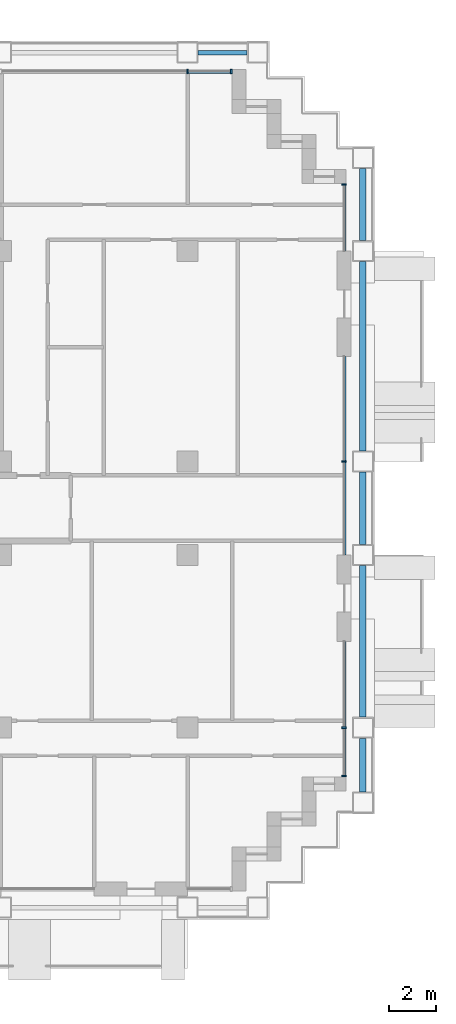
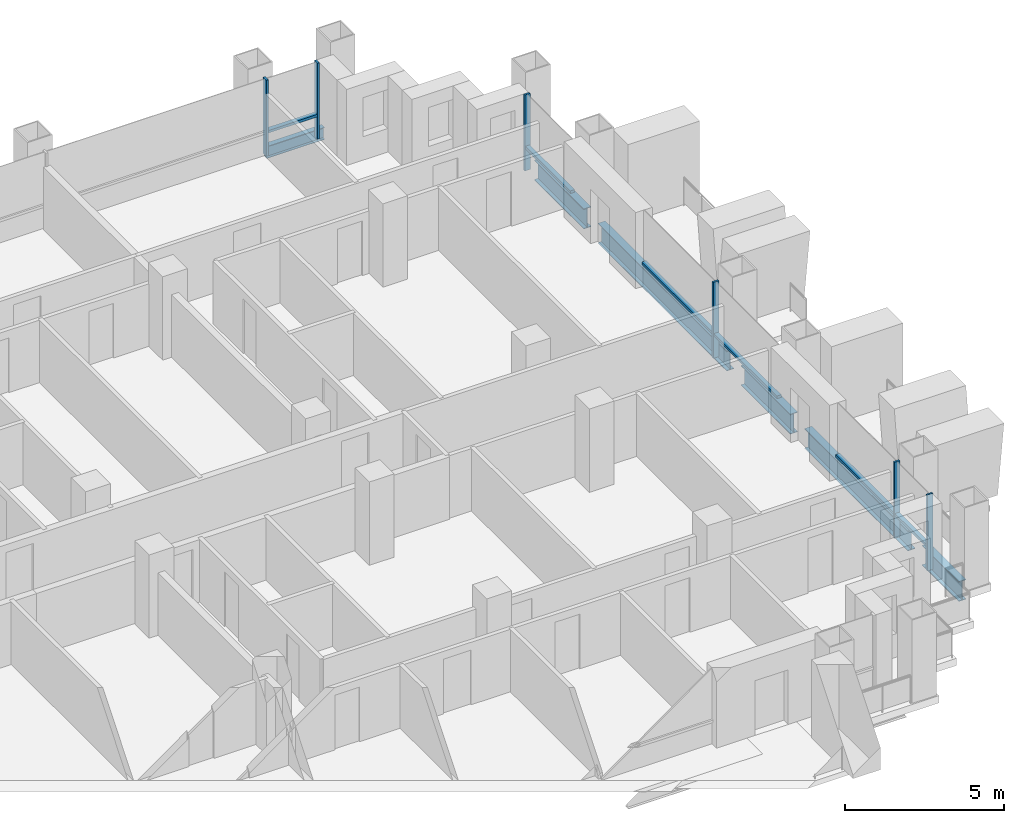
# One storey, part 6 of 18: 12 members, 6 beams, 4 elements without a shape of their own.
"""IFC4 building model written with IfcOpenShell, lengths in metres."""

from ifc_helpers import new_model, si_unit, direction, frame, origin, origin_2d, place, context, subcontext, project, spatial, rectangle, i_section, extrude, material, material_profile, profile_set, type_object, element, aggregate, save


model = new_model("IFC4")

# Units and contexts
model_context = context("Model", 3, precision=1e-05, world=origin(), true_north=direction((0.0, 1.0)))
body_context = subcontext(model_context, "Body", "Model", "MODEL_VIEW")
ifc_project = project(units=[si_unit("LENGTHUNIT", "METRE"), si_unit("AREAUNIT", "SQUARE_METRE"), si_unit("VOLUMEUNIT", "CUBIC_METRE"), si_unit("PLANEANGLEUNIT", "RADIAN"), si_unit("MASSUNIT", "GRAM", prefix="KILO")], contexts=[model_context])

# Site, building, storey
site_placement = place(None, origin())
site = spatial("IfcSite", under=ifc_project, at=site_placement, CompositionType="ELEMENT")
building_placement = place(site_placement, origin())
building = spatial("IfcBuilding", under=site, at=building_placement, Name="Vidyagriha Tower", CompositionType="ELEMENT")
storey_placement = place(building_placement, frame((0.0, 0.0, 93.5)))
storey = spatial("IfcBuildingStorey", under=building, at=storey_placement, Name="L24", CompositionType="ELEMENT", Elevation=93.5)

# Beams
ifc_material_1 = material(Name="Steel ASTM A992 Grade 50", Category="steel")
ifc_material_profile_1 = material_profile(ifc_material_1, i_section(OverallWidth=0.2666015625, OverallDepth=0.76953125, WebThickness=0.015625, FlangeThickness=0.025390625, at=origin_2d()), Name="W30X132")
ifc_profile_set_1 = profile_set([ifc_material_profile_1], Name="Steel ASTM A992 Grade 50")
beam_type_1 = type_object("IfcBeamType", Name="Cantilever edge beam W30X132", PredefinedType="SPANDREL", material=ifc_profile_set_1)
beam_1_placement = place(storey_placement, frame((41.5, -12.14990234375, -0.664794921875), z_axis=(0.0, 1.0, 0.0), x_axis=(-1.0, 0.0, 0.0)))
element("IfcBeam", 1, at=beam_1_placement, inside=storey, type_object=beam_type_1, Name="st-beam-L24-E15", PredefinedType="SPANDREL", context=body_context, shape_type="SweptSolid", body=[
    extrude(i_section(OverallWidth=0.2666015625, OverallDepth=0.76953125, WebThickness=0.015625, FlangeThickness=0.025390625, at=origin_2d()), origin(), (0.0, 0.0, 1.0), 2.2998046875),
])
beam_2_placement = place(storey_placement, frame((41.5, -8.949951171875, -0.664794921875), z_axis=(0.0, 1.0, 0.0), x_axis=(-1.0, 0.0, 0.0)))
element("IfcBeam", 2, at=beam_2_placement, inside=storey, type_object=beam_type_1, Name="st-beam-L24-E16", PredefinedType="SPANDREL", context=body_context, shape_type="SweptSolid", body=[
    extrude(i_section(OverallWidth=0.2666015625, OverallDepth=0.76953125, WebThickness=0.015625, FlangeThickness=0.025390625, at=origin_2d()), origin(), (0.0, 0.0, 1.0), 6.5),
])
beam_3_placement = place(storey_placement, frame((41.5, -1.550048828125, -0.664794921875), z_axis=(0.0, 1.0, 0.0), x_axis=(-1.0, 0.0, 0.0)))
element("IfcBeam", 3, at=beam_3_placement, inside=storey, type_object=beam_type_1, Name="st-beam-L24-E17", PredefinedType="SPANDREL", context=body_context, shape_type="SweptSolid", body=[
    extrude(i_section(OverallWidth=0.2666015625, OverallDepth=0.76953125, WebThickness=0.015625, FlangeThickness=0.025390625, at=origin_2d()), origin(), (0.0, 0.0, 1.0), 3.10009765625),
])
beam_4_placement = place(storey_placement, frame((41.5, 2.449951171875, -0.664794921875), z_axis=(0.0, 1.0, 0.0), x_axis=(-1.0, 0.0, 0.0)))
element("IfcBeam", 4, at=beam_4_placement, inside=storey, type_object=beam_type_1, Name="st-beam-L24-E18", PredefinedType="SPANDREL", context=body_context, shape_type="SweptSolid", body=[
    extrude(i_section(OverallWidth=0.2666015625, OverallDepth=0.76953125, WebThickness=0.015625, FlangeThickness=0.025390625, at=origin_2d()), origin(), (0.0, 0.0, 1.0), 8.10009765625),
])
beam_5_placement = place(storey_placement, frame((41.5, 11.449951171875, -0.664794921875), z_axis=(0.0, 1.0, 0.0), x_axis=(-1.0, 0.0, 0.0)))
element("IfcBeam", 5, at=beam_5_placement, inside=storey, type_object=beam_type_1, Name="st-beam-L24-E19", PredefinedType="SPANDREL", context=body_context, shape_type="SweptSolid", body=[
    extrude(i_section(OverallWidth=0.2666015625, OverallDepth=0.76953125, WebThickness=0.015625, FlangeThickness=0.025390625, at=origin_2d()), origin(), (0.0, 0.0, 1.0), 3.10009765625),
])
ifc_material_2 = material(Name="Steel ASTM A992 Grade 50", Category="steel")
ifc_material_profile_2 = material_profile(ifc_material_2, i_section(OverallWidth=0.19189453125, OverallDepth=0.46240234375, WebThickness=0.010498046875, FlangeThickness=0.017578125, at=origin_2d()), Name="W18X60")
ifc_profile_set_2 = profile_set([ifc_material_profile_2], Name="Steel ASTM A992 Grade 50")
beam_type_2 = type_object("IfcBeamType", Name="Edge beam W18X60", PredefinedType="SPANDREL", material=ifc_profile_set_2)
beam_6_placement = place(storey_placement, frame((34.449951171875, 19.5, -0.51123046875), z_axis=(1.0, 0.0, 0.0), x_axis=(0.0, 1.0, 0.0)))
element("IfcBeam", 6, at=beam_6_placement, inside=storey, type_object=beam_type_2, Name="st-beam-L24-NE23", PredefinedType="SPANDREL", context=body_context, shape_type="SweptSolid", body=[
    extrude(i_section(OverallWidth=0.19189453125, OverallDepth=0.46240234375, WebThickness=0.010498046875, FlangeThickness=0.017578125, at=origin_2d()), origin(), (0.0, 0.0, 1.0), 2.10009765625),
])

# Curtain wall, members
ifc_material_3 = material(Name="Aluminium and glass curtain wall", Category="aluminium")
curtain_wall_type = type_object("IfcCurtainWallType", Name="Dwelling skin unitised curtain wall", PredefinedType="USERDEFINED", material=ifc_material_3)
curtain_wall_1_placement = place(storey_placement, origin())
curtain_wall_1 = element("IfcCurtainWall", 7, at=curtain_wall_1_placement, inside=storey, type_object=curtain_wall_type, Name="CW1 dwelling skin", ObjectType="UNITISED", PredefinedType="USERDEFINED")
ifc_material_4 = material(Name="Aluminium black anodised", Category="aluminium")
ifc_material_profile_3 = material_profile(ifc_material_4, rectangle(XDim=0.199951171875, YDim=0.070068359375, at=origin_2d()), Name="Mullion 70x200 black aluminium")
ifc_profile_set_3 = profile_set([ifc_material_profile_3], Name="Aluminium black anodised")
member_type_1 = type_object("IfcMemberType", Name="Mullion 70x200 black aluminium", PredefinedType="MULLION", material=ifc_profile_set_3)
member_1_placement = place(storey_placement, frame((35.864990234375, 18.699951171875, 0.0), z_axis=(0.0, 0.0, 1.0), x_axis=(0.0, -1.0, 0.0)))
member_1 = element("IfcMember", 8, at=member_1_placement, type_object=member_type_1, Name="CW1 mullion 1", PredefinedType="MULLION", context=body_context, shape_type="SweptSolid", body=[
    extrude(rectangle(XDim=0.199951171875, YDim=0.070068359375, at=origin_2d()), origin(), (0.0, 0.0, 1.0), 2.919921875),
])
member_2_placement = place(storey_placement, frame((34.0, 18.699951171875, 0.0), z_axis=(0.0, 0.0, 1.0), x_axis=(0.0, -1.0, 0.0)))
member_2 = element("IfcMember", 9, at=member_2_placement, type_object=member_type_1, Name="CW1 mullion 2", PredefinedType="MULLION", context=body_context, shape_type="SweptSolid", body=[
    extrude(rectangle(XDim=0.199951171875, YDim=0.070068359375, at=origin_2d()), origin(), (0.0, 0.0, 1.0), 2.919921875),
])

curtain_wall_2_placement = place(storey_placement, origin())
curtain_wall_2 = element("IfcCurtainWall", 10, at=curtain_wall_2_placement, inside=storey, type_object=curtain_wall_type, Name="CW1 dwelling skin", ObjectType="UNITISED", PredefinedType="USERDEFINED")
member_3_placement = place(storey_placement, frame((40.699951171875, -11.465087890625, 0.0), z_axis=(0.0, 0.0, 1.0), x_axis=(-1.0, 0.0, 0.0)))
member_3 = element("IfcMember", 11, at=member_3_placement, type_object=member_type_1, Name="CW1 mullion 1", PredefinedType="MULLION", context=body_context, shape_type="SweptSolid", body=[
    extrude(rectangle(XDim=0.199951171875, YDim=0.070068359375, at=origin_2d()), origin(), (0.0, 0.0, 1.0), 2.919921875),
])
member_4_placement = place(storey_placement, frame((40.699951171875, -9.39990234375, 0.0), z_axis=(0.0, 0.0, 1.0), x_axis=(-1.0, 0.0, 0.0)))
member_4 = element("IfcMember", 12, at=member_4_placement, type_object=member_type_1, Name="CW1 mullion 2", PredefinedType="MULLION", context=body_context, shape_type="SweptSolid", body=[
    extrude(rectangle(XDim=0.199951171875, YDim=0.070068359375, at=origin_2d()), origin(), (0.0, 0.0, 1.0), 2.919921875),
])

# Curtain wall, member
curtain_wall_3_placement = place(storey_placement, origin())
curtain_wall_3 = element("IfcCurtainWall", 13, at=curtain_wall_3_placement, inside=storey, type_object=curtain_wall_type, Name="CW1 dwelling skin", ObjectType="UNITISED", PredefinedType="USERDEFINED")
member_5_placement = place(storey_placement, frame((40.699951171875, 2.0, 0.0), z_axis=(0.0, 0.0, 1.0), x_axis=(-1.0, 0.0, 0.0)))
member_5 = element("IfcMember", 14, at=member_5_placement, type_object=member_type_1, Name="CW1 mullion 2", PredefinedType="MULLION", context=body_context, shape_type="SweptSolid", body=[
    extrude(rectangle(XDim=0.199951171875, YDim=0.070068359375, at=origin_2d()), origin(), (0.0, 0.0, 1.0), 2.919921875),
])

curtain_wall_4_placement = place(storey_placement, origin())
curtain_wall_4 = element("IfcCurtainWall", 15, at=curtain_wall_4_placement, inside=storey, type_object=curtain_wall_type, Name="CW1 dwelling skin", ObjectType="UNITISED", PredefinedType="USERDEFINED")
member_6_placement = place(storey_placement, frame((40.699951171875, 13.864990234375, 0.0), z_axis=(0.0, 0.0, 1.0), x_axis=(-1.0, 0.0, 0.0)))
member_6 = element("IfcMember", 16, at=member_6_placement, type_object=member_type_1, Name="CW1 mullion 2", PredefinedType="MULLION", context=body_context, shape_type="SweptSolid", body=[
    extrude(rectangle(XDim=0.199951171875, YDim=0.070068359375, at=origin_2d()), origin(), (0.0, 0.0, 1.0), 2.919921875),
])

# Member
ifc_material_5 = material(Name="Aluminium black anodised", Category="aluminium")
ifc_material_profile_4 = material_profile(ifc_material_5, rectangle(XDim=0.159912109375, YDim=0.10009765625, at=origin_2d()), Name="Transom 100x160 black aluminium")
ifc_profile_set_4 = profile_set([ifc_material_profile_4], Name="Aluminium black anodised")
member_type_2 = type_object("IfcMemberType", Name="Transom 100x160 black aluminium", PredefinedType="USERDEFINED", material=ifc_profile_set_4)
member_7_placement = place(storey_placement, frame((35.830078125, 18.699951171875, 0.89990234375), z_axis=(-1.0, 0.0, 0.0), x_axis=(0.0, -1.0, 0.0)))
member_7 = element("IfcMember", 17, at=member_7_placement, type_object=member_type_2, Name="CW1 transom 1.1", ObjectType="TRANSOM", PredefinedType="USERDEFINED", context=body_context, shape_type="SweptSolid", body=[
    extrude(rectangle(XDim=0.159912109375, YDim=0.10009765625, at=origin_2d()), origin(), (0.0, 0.0, 1.0), 1.795166015625),
])

aggregate(curtain_wall_1, [member_1, member_2, member_7])

member_8_placement = place(storey_placement, frame((40.699951171875, -11.429931640625, 0.89990234375), z_axis=(0.0, 1.0, 0.0), x_axis=(-1.0, 0.0, 0.0)))
member_8 = element("IfcMember", 18, at=member_8_placement, type_object=member_type_2, Name="CW1 transom 1.1", ObjectType="TRANSOM", PredefinedType="USERDEFINED", context=body_context, shape_type="SweptSolid", body=[
    extrude(rectangle(XDim=0.159912109375, YDim=0.10009765625, at=origin_2d()), origin(), (0.0, 0.0, 1.0), 1.994873046875),
])

member_9_placement = place(storey_placement, frame((40.699951171875, -9.364990234375, 0.89990234375), z_axis=(0.0, 1.0, 0.0), x_axis=(-1.0, 0.0, 0.0)))
member_9 = element("IfcMember", 19, at=member_9_placement, type_object=member_type_2, Name="CW1 transom 2.1", ObjectType="TRANSOM", PredefinedType="USERDEFINED", context=body_context, shape_type="SweptSolid", body=[
    extrude(rectangle(XDim=0.159912109375, YDim=0.10009765625, at=origin_2d()), origin(), (0.0, 0.0, 1.0), 3.6650390625),
])

aggregate(curtain_wall_2, [member_3, member_4, member_8, member_9])

member_10_placement = place(storey_placement, frame((40.699951171875, -2.0, 0.89990234375), z_axis=(0.0, 1.0, 0.0), x_axis=(-1.0, 0.0, 0.0)))
member_10 = element("IfcMember", 20, at=member_10_placement, type_object=member_type_2, Name="CW1 transom 1.1", ObjectType="TRANSOM", PredefinedType="USERDEFINED", context=body_context, shape_type="SweptSolid", body=[
    extrude(rectangle(XDim=0.159912109375, YDim=0.10009765625, at=origin_2d()), origin(), (0.0, 0.0, 1.0), 3.965087890625),
])

member_11_placement = place(storey_placement, frame((40.699951171875, 2.034912109375, 0.89990234375), z_axis=(0.0, 1.0, 0.0), x_axis=(-1.0, 0.0, 0.0)))
member_11 = element("IfcMember", 21, at=member_11_placement, type_object=member_type_2, Name="CW1 transom 2.1", ObjectType="TRANSOM", PredefinedType="USERDEFINED", context=body_context, shape_type="SweptSolid", body=[
    extrude(rectangle(XDim=0.159912109375, YDim=0.10009765625, at=origin_2d()), origin(), (0.0, 0.0, 1.0), 4.465087890625),
])

aggregate(curtain_wall_3, [member_5, member_10, member_11])

member_12_placement = place(storey_placement, frame((40.699951171875, 11.0, 0.89990234375), z_axis=(0.0, 1.0, 0.0), x_axis=(-1.0, 0.0, 0.0)))
member_12 = element("IfcMember", 22, at=member_12_placement, type_object=member_type_2, Name="CW1 transom 1.1", ObjectType="TRANSOM", PredefinedType="USERDEFINED", context=body_context, shape_type="SweptSolid", body=[
    extrude(rectangle(XDim=0.159912109375, YDim=0.10009765625, at=origin_2d()), origin(), (0.0, 0.0, 1.0), 2.830078125),
])

aggregate(curtain_wall_4, [member_6, member_12])

save(model, "model.ifc")
